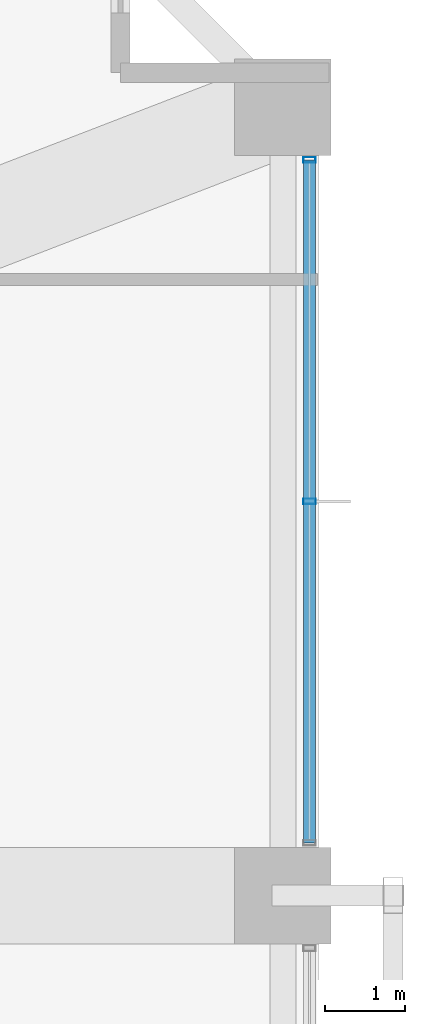
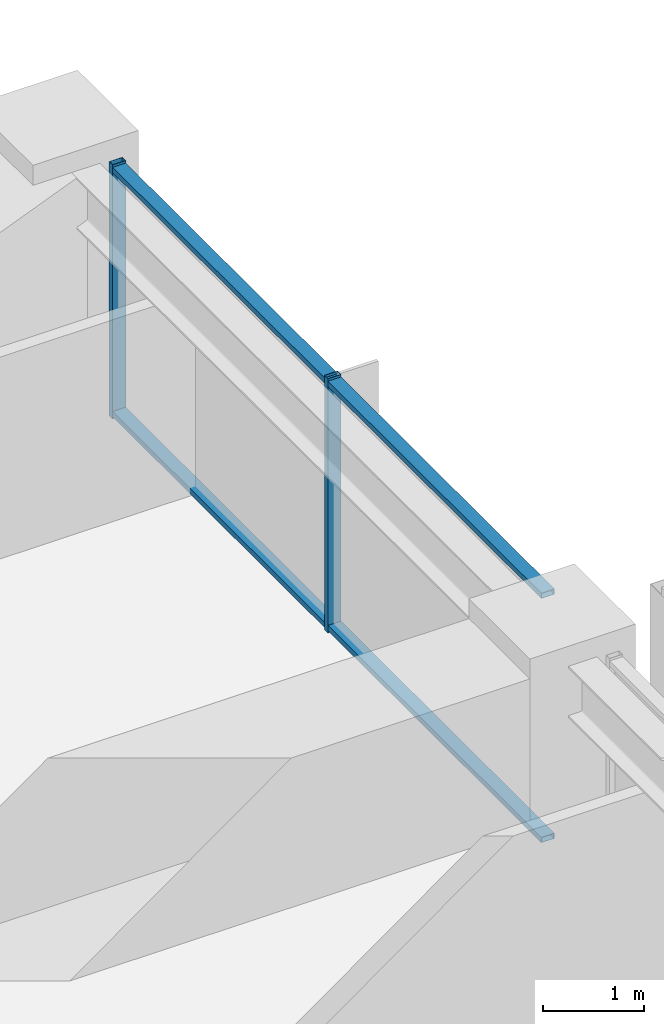
# One storey, part 23 of 37: 4 members, 1 element without a shape of its own.
"""IFC4 building model written with IfcOpenShell, lengths in metres."""

from ifc_helpers import new_model, si_unit, direction, frame, origin, origin_2d, place, context, subcontext, project, spatial, hollow_rectangle, extrude, material, material_profile, profile_set, type_object, element, aggregate, save


model = new_model("IFC4")

# Units and contexts
model_context = context("Model", 3, precision=1e-05, world=origin(), true_north=direction((0.0, 1.0)))
body_context = subcontext(model_context, "Body", "Model", "MODEL_VIEW")
ifc_project = project(units=[si_unit("LENGTHUNIT", "METRE"), si_unit("AREAUNIT", "SQUARE_METRE"), si_unit("VOLUMEUNIT", "CUBIC_METRE"), si_unit("PLANEANGLEUNIT", "RADIAN"), si_unit("MASSUNIT", "GRAM", prefix="KILO")], contexts=[model_context])

# Site, building, storey
site_placement = place(None, origin())
site = spatial("IfcSite", under=ifc_project, at=site_placement, CompositionType="ELEMENT")
building_placement = place(site_placement, origin())
building = spatial("IfcBuilding", under=site, at=building_placement, Name="Kolvaren Belvedere", CompositionType="ELEMENT")
storey_placement = place(building_placement, frame((0.0, 0.0, 56.800048828125)))
storey = spatial("IfcBuildingStorey", under=building, at=storey_placement, Name="L16", CompositionType="ELEMENT", Elevation=56.800048828125)

# Curtain wall, members
ifc_material_1 = material(Name="Anodised pale-metal aluminium AA 6063-T6", Category="aluminium")
curtain_wall_type = type_object("IfcCurtainWallType", Name="CW-Z1-LOW", PredefinedType="NOTDEFINED", material=ifc_material_1)
curtain_wall_placement = place(storey_placement, origin())
curtain_wall = element("IfcCurtainWall", 1, at=curtain_wall_placement, inside=storey, type_object=curtain_wall_type, Name="L16 Unitised Curtain Wall FCW-L16-E-B1", PredefinedType="NOTDEFINED")
ifc_material_2 = material(Name="Anodised pale-metal aluminium AA 6063-T6", Category="aluminium")
ifc_material_profile_1 = material_profile(ifc_material_2, hollow_rectangle(XDim=0.070068359375, YDim=0.14990234375, WallThickness=0.004150390625, at=origin_2d()), Name="ALU-MUL-150X70")
ifc_profile_set_1 = profile_set([ifc_material_profile_1], Name="Anodised pale-metal aluminium AA 6063-T6")
member_type_1 = type_object("IfcMemberType", Name="CW-MUL-150", PredefinedType="MULLION", material=ifc_profile_set_1)
member_1_placement = place(storey_placement, frame((21.8798828125, 13.7451171875, 0.0), z_axis=(0.0, 0.0, 1.0), x_axis=(0.0, 1.0, 0.0)))
member_1 = element("IfcMember", 2, at=member_1_placement, type_object=member_type_1, Name="FCW-L16-E-B1 Unitised Mullion 1", PredefinedType="MULLION", context=body_context, shape_type="SweptSolid", body=[
    extrude(hollow_rectangle(XDim=0.070068359375, YDim=0.14990234375, WallThickness=0.004150390625, at=origin_2d()), origin(), (0.0, 0.0, 1.0), 3.06005859375),
])
member_2_placement = place(storey_placement, frame((21.8798828125, 9.5, 0.0), z_axis=(0.0, 0.0, 1.0), x_axis=(0.0, 1.0, 0.0)))
member_2 = element("IfcMember", 3, at=member_2_placement, type_object=member_type_1, Name="FCW-L16-E-B1 Unitised Mullion 2", PredefinedType="MULLION", context=body_context, shape_type="SweptSolid", body=[
    extrude(hollow_rectangle(XDim=0.070068359375, YDim=0.14990234375, WallThickness=0.004150390625, at=origin_2d()), origin(), (0.0, 0.0, 1.0), 3.06005859375),
])
ifc_material_3 = material(Name="Anodised pale-metal aluminium AA 6063-T6", Category="aluminium")
ifc_material_profile_2 = material_profile(ifc_material_3, hollow_rectangle(XDim=0.06494140625, YDim=0.14990234375, WallThickness=0.00390625, at=origin_2d()), Name="ALU-TRN-150X65")
ifc_profile_set_2 = profile_set([ifc_material_profile_2], Name="Anodised pale-metal aluminium AA 6063-T6")
member_type_2 = type_object("IfcMemberType", Name="CW-TRN-150", PredefinedType="USERDEFINED", material=ifc_profile_set_2)
member_3_placement = place(storey_placement, frame((21.8798828125, 13.7451171875, 0.06005859375), z_axis=(0.0, -1.0, 0.0), x_axis=(0.0, 0.0, 1.0)))
member_3 = element("IfcMember", 4, at=member_3_placement, type_object=member_type_2, Name="FCW-L16-E-B1 Sill Transom", ObjectType="TRANSOM", PredefinedType="USERDEFINED", context=body_context, shape_type="SweptSolid", body=[
    extrude(hollow_rectangle(XDim=0.06494140625, YDim=0.14990234375, WallThickness=0.00390625, at=origin_2d()), origin(), (0.0, 0.0, 1.0), 8.490234375),
])
member_4_placement = place(storey_placement, frame((21.8798828125, 13.7451171875, 3.0), z_axis=(0.0, -1.0, 0.0), x_axis=(0.0, 0.0, 1.0)))
member_4 = element("IfcMember", 5, at=member_4_placement, type_object=member_type_2, Name="FCW-L16-E-B1 Head Transom", ObjectType="TRANSOM", PredefinedType="USERDEFINED", context=body_context, shape_type="SweptSolid", body=[
    extrude(hollow_rectangle(XDim=0.06494140625, YDim=0.14990234375, WallThickness=0.00390625, at=origin_2d()), origin(), (0.0, 0.0, 1.0), 8.490234375),
])
aggregate(curtain_wall, [member_1, member_2, member_3, member_4])

save(model, "model.ifc")
